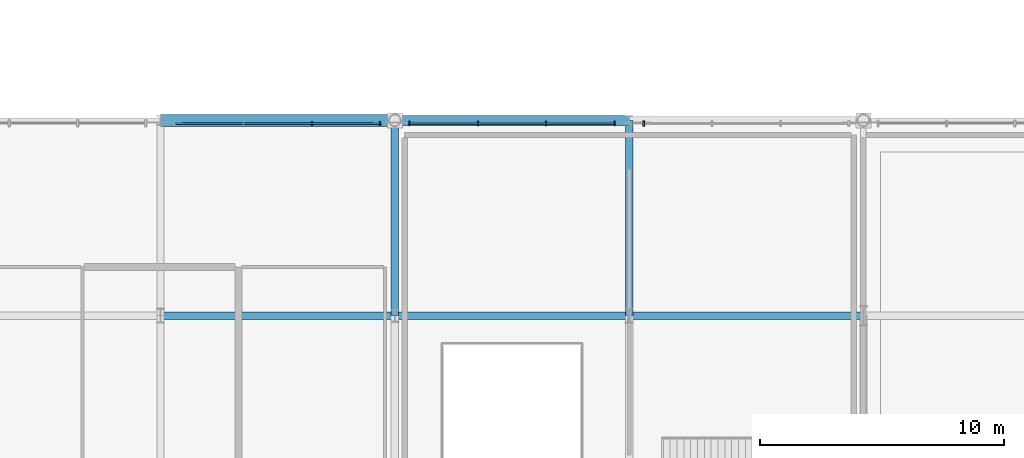
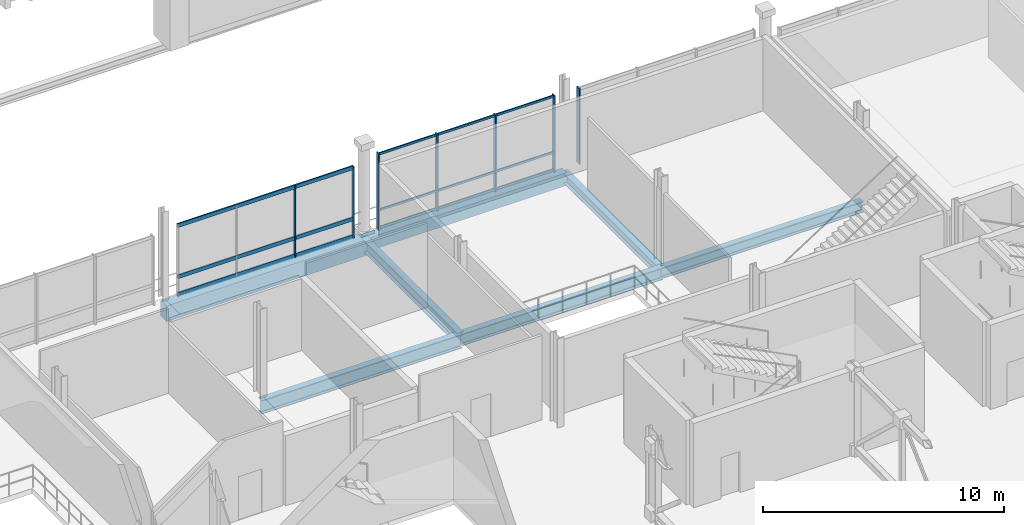
# One storey, part 41 of 193: 13 members, 7 beams, 3 elements without a shape of their own.
"""IFC4 building model written with IfcOpenShell, lengths in metres."""

from ifc_helpers import new_model, si_unit, direction, frame, origin, origin_2d, place, context, subcontext, project, spatial, rectangle, i_section, extrude, material, material_profile, profile_set, type_object, element, aggregate, save


model = new_model("IFC4")

# Units and contexts
model_context = context("Model", 3, precision=1e-05, world=origin(), true_north=direction((0.0, 1.0)))
body_context = subcontext(model_context, "Body", "Model", "MODEL_VIEW")
ifc_project = project(units=[si_unit("LENGTHUNIT", "METRE"), si_unit("AREAUNIT", "SQUARE_METRE"), si_unit("VOLUMEUNIT", "CUBIC_METRE"), si_unit("PLANEANGLEUNIT", "RADIAN"), si_unit("MASSUNIT", "GRAM", prefix="KILO")], contexts=[model_context])

# Site, building, storey
site_placement = place(None, origin())
site = spatial("IfcSite", under=ifc_project, at=site_placement, CompositionType="ELEMENT")
building_placement = place(site_placement, origin())
building = spatial("IfcBuilding", under=site, at=building_placement, Name="Danafjord Basin Convention Centre", CompositionType="ELEMENT")
storey_placement = place(building_placement, frame((0.0, 0.0, 11.39990234375)))
storey = spatial("IfcBuildingStorey", under=building, at=storey_placement, Name="L02", CompositionType="ELEMENT", Elevation=11.39990234375)

# Beams
ifc_material_1 = material(Name="Steel S355", Category="steel")
ifc_material_profile_1 = material_profile(ifc_material_1, i_section(OverallWidth=0.300048828125, OverallDepth=0.5, WebThickness=0.014404296875, FlangeThickness=0.028076171875, FilletRadius=0.027099609375, at=origin_2d()), Name="HEB 500")
ifc_profile_set_1 = profile_set([ifc_material_profile_1], Name="Steel S355")
beam_type_1 = type_object("IfcBeamType", Name="BEAM-BM-HEB500", PredefinedType="BEAM", material=ifc_profile_set_1)
beam_1_placement = place(storey_placement, frame((76.800048828125, 32.0, -0.5), z_axis=(0.0, 1.0, 0.0), x_axis=(-1.0, 0.0, 0.0)))
element("IfcBeam", 1, at=beam_1_placement, inside=storey, type_object=beam_type_1, Name="L02 transverse girder BM-HEB500", PredefinedType="BEAM", context=body_context, shape_type="SweptSolid", body=[
    extrude(i_section(OverallWidth=0.300048828125, OverallDepth=0.5, WebThickness=0.014404296875, FlangeThickness=0.028076171875, FilletRadius=0.027099609375, at=origin_2d()), origin(), (0.0, 0.0, 1.0), 8.0),
])
ifc_material_profile_2 = material_profile(ifc_material_1, i_section(OverallWidth=0.300048828125, OverallDepth=0.550048828125, WebThickness=0.014892578125, FlangeThickness=0.029052734375, FilletRadius=0.027099609375, at=origin_2d()), Name="HEB 550")
ifc_profile_set_2 = profile_set([ifc_material_profile_2], Name="Steel S355")
beam_type_2 = type_object("IfcBeamType", Name="BEAM-BM-HEB550", PredefinedType="BEAM", material=ifc_profile_set_2)
beam_2_placement = place(storey_placement, frame((76.800048828125, 32.0, -0.52490234375), z_axis=(1.0, 0.0, 0.0), x_axis=(0.0, 1.0, 0.0)))
element("IfcBeam", 2, at=beam_2_placement, inside=storey, type_object=beam_type_2, Name="L02 girder BM-HEB550", PredefinedType="BEAM", context=body_context, shape_type="SweptSolid", body=[
    extrude(i_section(OverallWidth=0.300048828125, OverallDepth=0.550048828125, WebThickness=0.014892578125, FlangeThickness=0.029052734375, FilletRadius=0.027099609375, at=origin_2d()), origin(), (0.0, 0.0, 1.0), 9.599853515625),
])
ifc_material_profile_3 = material_profile(ifc_material_1, i_section(OverallWidth=0.300048828125, OverallDepth=0.60009765625, WebThickness=0.015380859375, FlangeThickness=0.030029296875, FilletRadius=0.027099609375, at=origin_2d()), Name="HEB 600")
ifc_profile_set_3 = profile_set([ifc_material_profile_3], Name="Steel S355")
beam_type_3 = type_object("IfcBeamType", Name="BEAM-BM-HEB600", PredefinedType="BEAM", material=ifc_profile_set_3)
beam_3_placement = place(storey_placement, frame((67.199951171875, 32.0, -0.5498046875), z_axis=(1.0, 0.0, 0.0), x_axis=(0.0, 1.0, 0.0)))
element("IfcBeam", 3, at=beam_3_placement, inside=storey, type_object=beam_type_3, Name="L02 girder BM-HEB600", PredefinedType="BEAM", context=body_context, shape_type="SweptSolid", body=[
    extrude(i_section(OverallWidth=0.300048828125, OverallDepth=0.60009765625, WebThickness=0.015380859375, FlangeThickness=0.030029296875, FilletRadius=0.027099609375, at=origin_2d()), origin(), (0.0, 0.0, 1.0), 9.60009765625),
])
beam_4_placement = place(storey_placement, frame((67.199951171875, 32.0, -0.5498046875), z_axis=(0.0, 1.0, 0.0), x_axis=(-1.0, 0.0, 0.0)))
element("IfcBeam", 4, at=beam_4_placement, inside=storey, type_object=beam_type_3, Name="L02 transverse girder BM-HEB600", PredefinedType="BEAM", context=body_context, shape_type="SweptSolid", body=[
    extrude(i_section(OverallWidth=0.300048828125, OverallDepth=0.60009765625, WebThickness=0.015380859375, FlangeThickness=0.030029296875, FilletRadius=0.027099609375, at=origin_2d()), origin(), (0.0, 0.0, 1.0), 8.0),
])
ifc_material_profile_4 = material_profile(ifc_material_1, i_section(OverallWidth=0.300048828125, OverallDepth=0.699951171875, WebThickness=0.01708984375, FlangeThickness=0.031982421875, FilletRadius=0.027099609375, at=origin_2d()), Name="HEB 700")
ifc_profile_set_4 = profile_set([ifc_material_profile_4], Name="Steel S355")
beam_type_4 = type_object("IfcBeamType", Name="BEAM-BM-HEB700", PredefinedType="BEAM", material=ifc_profile_set_4)
beam_5_placement = place(storey_placement, frame((57.60009765625, 32.0, -0.599853515625), z_axis=(1.0, 0.0, 0.0), x_axis=(0.0, 1.0, 0.0)))
element("IfcBeam", 5, at=beam_5_placement, inside=storey, type_object=beam_type_4, Name="L02 girder BM-HEB700", PredefinedType="BEAM", context=body_context, shape_type="SweptSolid", body=[
    extrude(i_section(OverallWidth=0.300048828125, OverallDepth=0.699951171875, WebThickness=0.01708984375, FlangeThickness=0.031982421875, FilletRadius=0.027099609375, at=origin_2d()), origin(), (0.0, 0.0, 1.0), 9.599853515625),
])
ifc_material_2 = material(Name="Precast concrete C45/55", Category="concrete")
ifc_material_profile_5 = material_profile(ifc_material_2, rectangle(XDim=0.39990234375, YDim=0.64990234375, at=origin_2d()), Name="PCB 400x650")
ifc_profile_set_5 = profile_set([ifc_material_profile_5], Name="Precast concrete C45/55")
beam_type_5 = type_object("IfcBeamType", Name="BEAM-SP-PCB650", PredefinedType="SPANDREL", material=ifc_profile_set_5)
beam_6_placement = place(storey_placement, frame((67.199951171875, 40.0, -0.574951171875), z_axis=(1.0, 0.0, 0.0), x_axis=(0.0, 1.0, 0.0)))
element("IfcBeam", 6, at=beam_6_placement, inside=storey, type_object=beam_type_5, Name="L02 girder SP-PCB650", PredefinedType="SPANDREL", context=body_context, shape_type="SweptSolid", body=[
    extrude(rectangle(XDim=0.39990234375, YDim=0.64990234375, at=origin_2d()), origin(), (0.0, 0.0, 1.0), 9.60009765625),
])
ifc_material_profile_6 = material_profile(ifc_material_2, rectangle(XDim=0.5, YDim=0.800048828125, at=origin_2d()), Name="PCB 500x800")
ifc_profile_set_6 = profile_set([ifc_material_profile_6], Name="Precast concrete C45/55")
beam_type_6 = type_object("IfcBeamType", Name="BEAM-SP-PCB800", PredefinedType="SPANDREL", material=ifc_profile_set_6)
beam_7_placement = place(storey_placement, frame((57.60009765625, 40.0, -0.64990234375), z_axis=(1.0, 0.0, 0.0), x_axis=(0.0, 1.0, 0.0)))
element("IfcBeam", 7, at=beam_7_placement, inside=storey, type_object=beam_type_6, Name="L02 girder SP-PCB800", PredefinedType="SPANDREL", context=body_context, shape_type="SweptSolid", body=[
    extrude(rectangle(XDim=0.5, YDim=0.800048828125, at=origin_2d()), origin(), (0.0, 0.0, 1.0), 9.599853515625),
])

# Curtain wall, members
ifc_material_3 = material(Name="Anodised aluminium and triple glazing", Category="aluminium")
curtain_wall_type = type_object("IfcCurtainWallType", Name="CW-CW-TERR", PredefinedType="NOTDEFINED", material=ifc_material_3)
curtain_wall_1_placement = place(storey_placement, origin())
curtain_wall_1 = element("IfcCurtainWall", 8, at=curtain_wall_1_placement, inside=storey, type_object=curtain_wall_type, Name="L02 CW-TERR unitised curtain wall bay 65", PredefinedType="NOTDEFINED")
ifc_material_4 = material(Name="Anodised aluminium EN AW-6060", Category="aluminium")
ifc_material_profile_7 = material_profile(ifc_material_4, rectangle(XDim=0.06005859375, YDim=0.139892578125, at=origin_2d()), Name="MULL 60x140")
ifc_profile_set_7 = profile_set([ifc_material_profile_7], Name="Anodised aluminium EN AW-6060")
member_type_1 = type_object("IfcMemberType", Name="MEM-ML-140", PredefinedType="MULLION", material=ifc_profile_set_7)
member_1_placement = place(storey_placement, frame((66.60009765625, 39.8798828125, -0.02490234375), z_axis=(0.0, 0.0, 1.0), x_axis=(-1.0, 0.0, 0.0)))
member_1 = element("IfcMember", 9, at=member_1_placement, type_object=member_type_1, Name="CW-L02-065 mullion 1", PredefinedType="MULLION", context=body_context, shape_type="SweptSolid", body=[
    extrude(rectangle(XDim=0.06005859375, YDim=0.139892578125, at=origin_2d()), origin(), (0.0, 0.0, 1.0), 3.635009765625),
])
member_2_placement = place(storey_placement, frame((63.800048828125, 39.8798828125, -0.02490234375), z_axis=(0.0, 0.0, 1.0), x_axis=(-1.0, 0.0, 0.0)))
member_2 = element("IfcMember", 10, at=member_2_placement, type_object=member_type_1, Name="CW-L02-065 mullion 2", PredefinedType="MULLION", context=body_context, shape_type="SweptSolid", body=[
    extrude(rectangle(XDim=0.06005859375, YDim=0.139892578125, at=origin_2d()), origin(), (0.0, 0.0, 1.0), 3.635009765625),
])

curtain_wall_2_placement = place(storey_placement, origin())
curtain_wall_2 = element("IfcCurtainWall", 11, at=curtain_wall_2_placement, inside=storey, type_object=curtain_wall_type, Name="L02 CW-TERR unitised curtain wall bay 66", PredefinedType="NOTDEFINED")
ifc_material_profile_8 = material_profile(ifc_material_4, rectangle(XDim=0.06005859375, YDim=0.179931640625, at=origin_2d()), Name="MULL 60x180")
ifc_profile_set_8 = profile_set([ifc_material_profile_8], Name="Anodised aluminium EN AW-6060")
member_type_2 = type_object("IfcMemberType", Name="MEM-ML-180", PredefinedType="MULLION", material=ifc_profile_set_8)
member_3_placement = place(storey_placement, frame((76.199951171875, 39.8798828125, -0.02490234375), z_axis=(0.0, 0.0, 1.0), x_axis=(-1.0, 0.0, 0.0)))
member_3 = element("IfcMember", 12, at=member_3_placement, type_object=member_type_2, Name="CW-L02-066 mullion 1", PredefinedType="MULLION", context=body_context, shape_type="SweptSolid", body=[
    extrude(rectangle(XDim=0.06005859375, YDim=0.179931640625, at=origin_2d()), origin(), (0.0, 0.0, 1.0), 3.885009765625),
])
member_4_placement = place(storey_placement, frame((73.39990234375, 39.8798828125, -0.02490234375), z_axis=(0.0, 0.0, 1.0), x_axis=(-1.0, 0.0, 0.0)))
member_4 = element("IfcMember", 13, at=member_4_placement, type_object=member_type_2, Name="CW-L02-066 mullion 2", PredefinedType="MULLION", context=body_context, shape_type="SweptSolid", body=[
    extrude(rectangle(XDim=0.06005859375, YDim=0.179931640625, at=origin_2d()), origin(), (0.0, 0.0, 1.0), 3.885009765625),
])
member_5_placement = place(storey_placement, frame((70.60009765625, 39.8798828125, -0.02490234375), z_axis=(0.0, 0.0, 1.0), x_axis=(-1.0, 0.0, 0.0)))
member_5 = element("IfcMember", 14, at=member_5_placement, type_object=member_type_2, Name="CW-L02-066 mullion 3", PredefinedType="MULLION", context=body_context, shape_type="SweptSolid", body=[
    extrude(rectangle(XDim=0.06005859375, YDim=0.179931640625, at=origin_2d()), origin(), (0.0, 0.0, 1.0), 3.885009765625),
])
member_6_placement = place(storey_placement, frame((67.800048828125, 39.8798828125, -0.02490234375), z_axis=(0.0, 0.0, 1.0), x_axis=(-1.0, 0.0, 0.0)))
member_6 = element("IfcMember", 15, at=member_6_placement, type_object=member_type_2, Name="CW-L02-066 mullion 4", PredefinedType="MULLION", context=body_context, shape_type="SweptSolid", body=[
    extrude(rectangle(XDim=0.06005859375, YDim=0.179931640625, at=origin_2d()), origin(), (0.0, 0.0, 1.0), 3.885009765625),
])

# Curtain wall, member
curtain_wall_3_placement = place(storey_placement, origin())
curtain_wall_3 = element("IfcCurtainWall", 16, at=curtain_wall_3_placement, inside=storey, type_object=curtain_wall_type, Name="L02 CW-TERR unitised curtain wall bay 67", PredefinedType="NOTDEFINED")
ifc_material_profile_9 = material_profile(ifc_material_4, rectangle(XDim=0.06494140625, YDim=0.219970703125, at=origin_2d()), Name="MULL 65x220")
ifc_profile_set_9 = profile_set([ifc_material_profile_9], Name="Anodised aluminium EN AW-6060")
member_type_3 = type_object("IfcMemberType", Name="MEM-ML-220", PredefinedType="MULLION", material=ifc_profile_set_9)
member_7_placement = place(storey_placement, frame((77.39990234375, 39.8798828125, -0.02490234375), z_axis=(0.0, 0.0, 1.0), x_axis=(-1.0, 0.0, 0.0)))
member_7 = element("IfcMember", 17, at=member_7_placement, type_object=member_type_3, Name="CW-L02-067 mullion 4", PredefinedType="MULLION", context=body_context, shape_type="SweptSolid", body=[
    extrude(rectangle(XDim=0.06494140625, YDim=0.219970703125, at=origin_2d()), origin(), (0.0, 0.0, 1.0), 3.8349609375),
])
aggregate(curtain_wall_3, [member_7])

# Member
ifc_material_profile_10 = material_profile(ifc_material_4, rectangle(XDim=0.06005859375, YDim=0.110107421875, at=origin_2d()), Name="TRAN 60x110")
ifc_profile_set_10 = profile_set([ifc_material_profile_10], Name="Anodised aluminium EN AW-6060")
member_type_4 = type_object("IfcMemberType", Name="MEM-TR-110", PredefinedType="USERDEFINED", material=ifc_profile_set_10)
member_8_placement = place(storey_placement, frame((76.199951171875, 39.8798828125, 0.06005859375), z_axis=(-1.0, 0.0, 0.0), x_axis=(0.0, -1.0, 0.0)))
member_8 = element("IfcMember", 18, at=member_8_placement, type_object=member_type_4, Name="CW-L02-066 transom 1", ObjectType="TRANSOM", PredefinedType="USERDEFINED", context=body_context, shape_type="SweptSolid", body=[
    extrude(rectangle(XDim=0.06005859375, YDim=0.110107421875, at=origin_2d()), origin(), (0.0, 0.0, 1.0), 8.39990234375),
])

member_9_placement = place(storey_placement, frame((76.199951171875, 39.8798828125, 0.9501953125), z_axis=(-1.0, 0.0, 0.0), x_axis=(0.0, -1.0, 0.0)))
member_9 = element("IfcMember", 19, at=member_9_placement, type_object=member_type_4, Name="CW-L02-066 transom 2", ObjectType="TRANSOM", PredefinedType="USERDEFINED", context=body_context, shape_type="SweptSolid", body=[
    extrude(rectangle(XDim=0.06005859375, YDim=0.110107421875, at=origin_2d()), origin(), (0.0, 0.0, 1.0), 8.39990234375),
])

member_10_placement = place(storey_placement, frame((76.199951171875, 39.8798828125, 3.7900390625), z_axis=(-1.0, 0.0, 0.0), x_axis=(0.0, -1.0, 0.0)))
member_10 = element("IfcMember", 20, at=member_10_placement, type_object=member_type_4, Name="CW-L02-066 transom 3", ObjectType="TRANSOM", PredefinedType="USERDEFINED", context=body_context, shape_type="SweptSolid", body=[
    extrude(rectangle(XDim=0.06005859375, YDim=0.110107421875, at=origin_2d()), origin(), (0.0, 0.0, 1.0), 8.39990234375),
])

aggregate(curtain_wall_2, [member_3, member_4, member_5, member_6, member_8, member_9, member_10])

ifc_material_profile_11 = material_profile(ifc_material_4, rectangle(XDim=0.06494140625, YDim=0.18994140625, at=origin_2d()), Name="TRAN 65x190")
ifc_profile_set_11 = profile_set([ifc_material_profile_11], Name="Anodised aluminium EN AW-6060")
member_type_5 = type_object("IfcMemberType", Name="MEM-TR-190", PredefinedType="USERDEFINED", material=ifc_profile_set_11)
member_11_placement = place(storey_placement, frame((66.60009765625, 39.8798828125, 0.06005859375), z_axis=(-1.0, 0.0, 0.0), x_axis=(0.0, -1.0, 0.0)))
member_11 = element("IfcMember", 21, at=member_11_placement, type_object=member_type_5, Name="CW-L02-065 transom 1", ObjectType="TRANSOM", PredefinedType="USERDEFINED", context=body_context, shape_type="SweptSolid", body=[
    extrude(rectangle(XDim=0.06494140625, YDim=0.18994140625, at=origin_2d()), origin(), (0.0, 0.0, 1.0), 8.400146484375),
])

member_12_placement = place(storey_placement, frame((66.60009765625, 39.8798828125, 0.9501953125), z_axis=(-1.0, 0.0, 0.0), x_axis=(0.0, -1.0, 0.0)))
member_12 = element("IfcMember", 22, at=member_12_placement, type_object=member_type_5, Name="CW-L02-065 transom 2", ObjectType="TRANSOM", PredefinedType="USERDEFINED", context=body_context, shape_type="SweptSolid", body=[
    extrude(rectangle(XDim=0.06494140625, YDim=0.18994140625, at=origin_2d()), origin(), (0.0, 0.0, 1.0), 8.400146484375),
])

member_13_placement = place(storey_placement, frame((66.60009765625, 39.8798828125, 3.5400390625), z_axis=(-1.0, 0.0, 0.0), x_axis=(0.0, -1.0, 0.0)))
member_13 = element("IfcMember", 23, at=member_13_placement, type_object=member_type_5, Name="CW-L02-065 transom 3", ObjectType="TRANSOM", PredefinedType="USERDEFINED", context=body_context, shape_type="SweptSolid", body=[
    extrude(rectangle(XDim=0.06494140625, YDim=0.18994140625, at=origin_2d()), origin(), (0.0, 0.0, 1.0), 8.400146484375),
])

aggregate(curtain_wall_1, [member_1, member_2, member_11, member_12, member_13])

save(model, "model.ifc")
